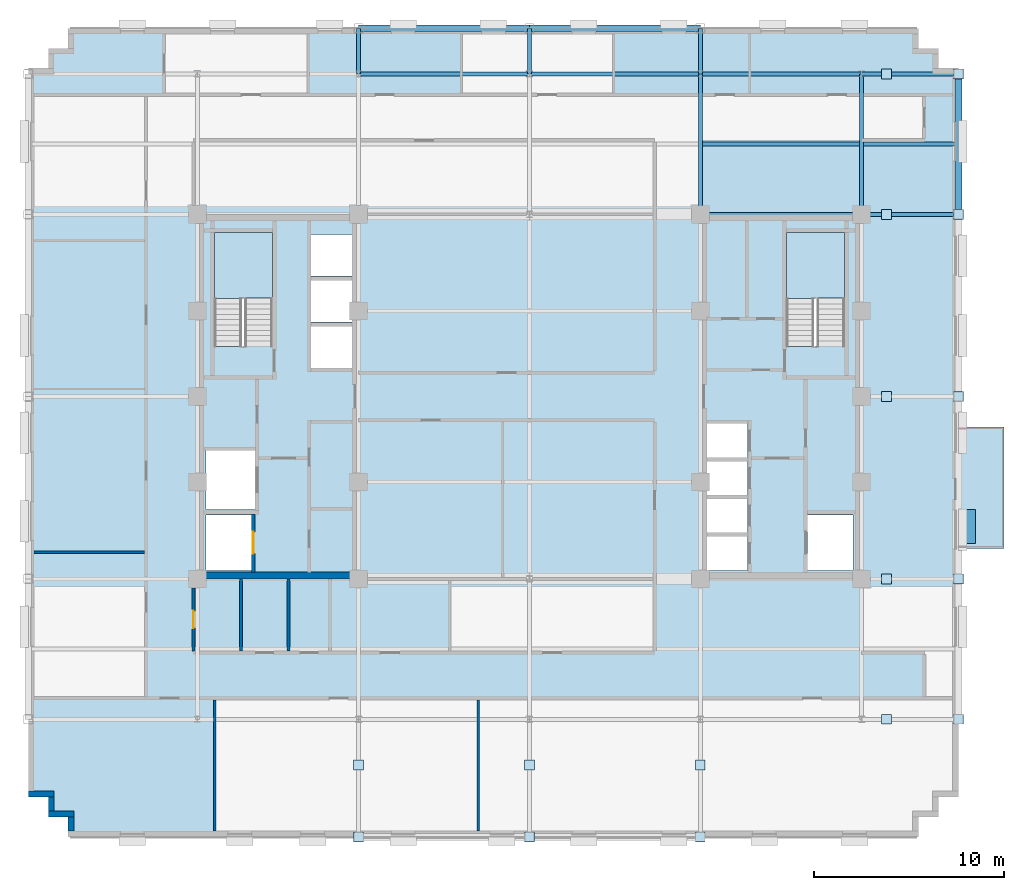
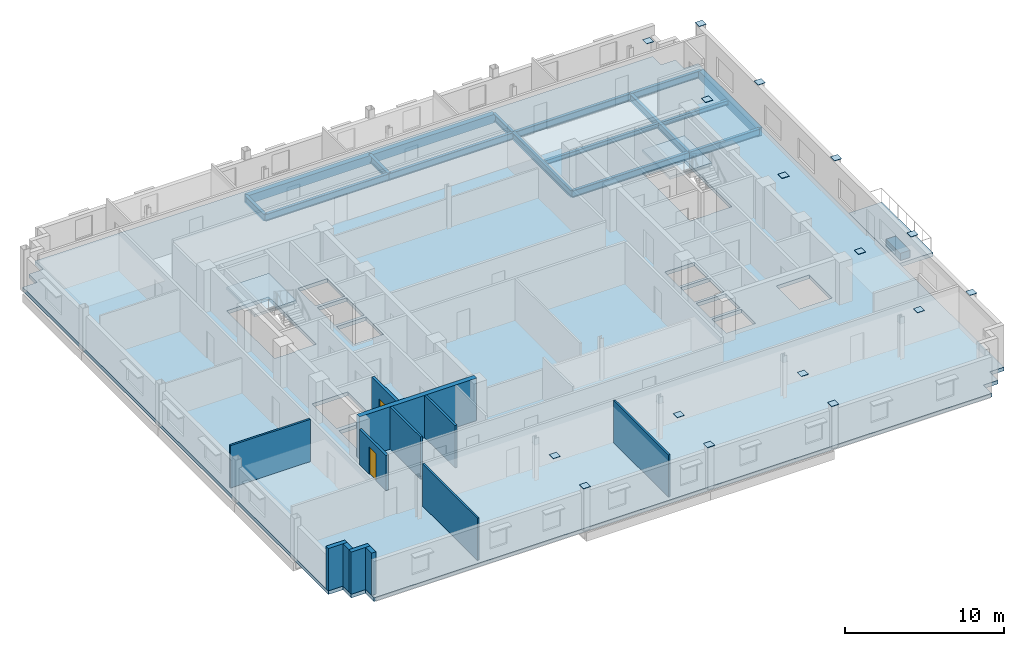
# One storey, part 6 of 15: 17 plates, 16 beams, 12 walls, 4 slabs, 2 doors, 2 openings, 2 elements without a shape of their own.
"""IFC4 building model written with IfcOpenShell, lengths in metres."""

from ifc_helpers import new_model, si_unit, direction, frame, frame_2d, origin, origin_2d, place, context, subcontext, project, spatial, polyline, rectangle, i_section, outline, extrude, source, transform, mapped, material, layer, layer_set, material_profile, profile_set, type_object, type_shapes, element, fill, aggregate, save


model = new_model("IFC4")

# Units and contexts
model_context = context("Model", 3, precision=1e-05, world=origin(), true_north=direction((0.0, 1.0)))
body_context = subcontext(model_context, "Body", "Model", "MODEL_VIEW")
ifc_project = project(units=[si_unit("LENGTHUNIT", "METRE"), si_unit("AREAUNIT", "SQUARE_METRE"), si_unit("VOLUMEUNIT", "CUBIC_METRE"), si_unit("PLANEANGLEUNIT", "RADIAN"), si_unit("MASSUNIT", "GRAM", prefix="KILO")], contexts=[model_context])

# Site, building, storey
site_placement = place(None, origin())
site = spatial("IfcSite", under=ifc_project, at=site_placement, CompositionType="ELEMENT")
building_placement = place(site_placement, origin())
building = spatial("IfcBuilding", under=site, at=building_placement, Name="Nuvemarco Arch Tower", CompositionType="ELEMENT")
storey_placement = place(building_placement, frame((0.0, 0.0, 205.5)))
storey = spatial("IfcBuildingStorey", under=building, at=storey_placement, Name="L54", CompositionType="ELEMENT", Elevation=205.5)

# Beams
ifc_material_1 = material(Name="Steel S355", Category="steel")
ifc_material_profile_1 = material_profile(ifc_material_1, i_section(OverallWidth=0.2109375, OverallDepth=0.5390625, WebThickness=0.01171875, FlangeThickness=0.018798828125, FilletRadius=0.01611328125, at=origin_2d()), Name="W530x109")
ifc_profile_set_1 = profile_set([ifc_material_profile_1], Name="Steel S355")
beam_type_1 = type_object("IfcBeamType", Name="BM-GIRD-530", PredefinedType="BEAM", material=ifc_profile_set_1)
for number, where, z_axis, x_axis, name in (
    (1, (-9.0, 17.0, -0.549560546875), (0.0, 1.0, 0.0), (-1.0, 0.0, 0.0), "L54 structural beam BGNS_L54_0_-9.0_+17.0"),
    (2, (0.0, 17.0, -0.549560546875), (0.0, 1.0, 0.0), (-1.0, 0.0, 0.0), "L54 structural beam BGNS_L54_0_+0.0_+17.0"),
):
    element("IfcBeam", number, at=place(storey_placement, frame(where, z_axis=z_axis, x_axis=x_axis)), inside=storey, type_object=beam_type_1, Name=name, PredefinedType="BEAM", context=body_context, shape_type="SweptSolid", body=[
        extrude(i_section(OverallWidth=0.2109375, OverallDepth=0.5390625, WebThickness=0.01171875, FlangeThickness=0.018798828125, FilletRadius=0.01611328125, at=origin_2d()), origin(), (0.0, 0.0, 1.0), 2.39990234375),
    ])
beam_1_placement = place(storey_placement, frame((9.0, 9.60009765625, -0.549560546875), z_axis=(0.0, 1.0, 0.0), x_axis=(-1.0, 0.0, 0.0)))
element("IfcBeam", 3, at=beam_1_placement, inside=storey, type_object=beam_type_1, Name="L54 structural beam BGNS_L54_0_+9.0_+9.6", PredefinedType="BEAM", context=body_context, shape_type="SweptSolid", body=[
    extrude(i_section(OverallWidth=0.2109375, OverallDepth=0.5390625, WebThickness=0.01171875, FlangeThickness=0.018798828125, FilletRadius=0.01611328125, at=origin_2d()), origin(), (0.0, 0.0, 1.0), 7.39990234375),
])
beam_2_placement = place(storey_placement, frame((9.0, 17.0, -0.549560546875), z_axis=(0.0, 1.0, 0.0), x_axis=(-1.0, 0.0, 0.0)))
element("IfcBeam", 4, at=beam_2_placement, inside=storey, type_object=beam_type_1, Name="L54 structural beam BGNS_L54_0_+9.0_+17.0", PredefinedType="BEAM", context=body_context, shape_type="SweptSolid", body=[
    extrude(i_section(OverallWidth=0.2109375, OverallDepth=0.5390625, WebThickness=0.01171875, FlangeThickness=0.018798828125, FilletRadius=0.01611328125, at=origin_2d()), origin(), (0.0, 0.0, 1.0), 2.39990234375),
])
beam_3_placement = place(storey_placement, frame((17.5, 9.60009765625, -0.549560546875), z_axis=(0.0, 1.0, 0.0), x_axis=(-1.0, 0.0, 0.0)))
element("IfcBeam", 5, at=beam_3_placement, inside=storey, type_object=beam_type_1, Name="L54 structural beam BGNS_L54_0_+17.5_+9.6", PredefinedType="BEAM", context=body_context, shape_type="SweptSolid", body=[
    extrude(i_section(OverallWidth=0.2109375, OverallDepth=0.5390625, WebThickness=0.01171875, FlangeThickness=0.018798828125, FilletRadius=0.01611328125, at=origin_2d()), origin(), (0.0, 0.0, 1.0), 7.39990234375),
])
beam_4_placement = place(storey_placement, frame((9.0, 9.60009765625, -0.549560546875), z_axis=(1.0, 0.0, 0.0), x_axis=(0.0, 1.0, 0.0)))
element("IfcBeam", 6, at=beam_4_placement, inside=storey, type_object=beam_type_1, Name="L54 structural beam BGEW_L54_0_+9.6_+9.0", PredefinedType="BEAM", context=body_context, shape_type="SweptSolid", body=[
    extrude(i_section(OverallWidth=0.2109375, OverallDepth=0.5390625, WebThickness=0.01171875, FlangeThickness=0.018798828125, FilletRadius=0.01611328125, at=origin_2d()), origin(), (0.0, 0.0, 1.0), 8.5),
])
beam_5_placement = place(storey_placement, frame((17.5, 9.60009765625, -0.549560546875), z_axis=(1.0, 0.0, 0.0), x_axis=(0.0, 1.0, 0.0)))
element("IfcBeam", 7, at=beam_5_placement, inside=storey, type_object=beam_type_1, Name="L54 structural beam BGEW_L54_0_+9.6_+17.5", PredefinedType="BEAM", context=body_context, shape_type="SweptSolid", body=[
    extrude(i_section(OverallWidth=0.2109375, OverallDepth=0.5390625, WebThickness=0.01171875, FlangeThickness=0.018798828125, FilletRadius=0.01611328125, at=origin_2d()), origin(), (0.0, 0.0, 1.0), 5.10009765625),
])
for number, where, z_axis, x_axis, name in (
    (8, (-9.0, 17.0, -0.549560546875), (1.0, 0.0, 0.0), (0.0, 1.0, 0.0), "L54 structural beam BGEW_L54_0_+17.0_-9.0"),
    (9, (0.0, 17.0, -0.549560546875), (1.0, 0.0, 0.0), (0.0, 1.0, 0.0), "L54 structural beam BGEW_L54_0_+17.0_+0.0"),
):
    element("IfcBeam", number, at=place(storey_placement, frame(where, z_axis=z_axis, x_axis=x_axis)), inside=storey, type_object=beam_type_1, Name=name, PredefinedType="BEAM", context=body_context, shape_type="SweptSolid", body=[
        extrude(i_section(OverallWidth=0.2109375, OverallDepth=0.5390625, WebThickness=0.01171875, FlangeThickness=0.018798828125, FilletRadius=0.01611328125, at=origin_2d()), origin(), (0.0, 0.0, 1.0), 9.0),
    ])
beam_6_placement = place(storey_placement, frame((9.0, 17.0, -0.549560546875), z_axis=(1.0, 0.0, 0.0), x_axis=(0.0, 1.0, 0.0)))
element("IfcBeam", 10, at=beam_6_placement, inside=storey, type_object=beam_type_1, Name="L54 structural beam BGEW_L54_0_+17.0_+9.0", PredefinedType="BEAM", context=body_context, shape_type="SweptSolid", body=[
    extrude(i_section(OverallWidth=0.2109375, OverallDepth=0.5390625, WebThickness=0.01171875, FlangeThickness=0.018798828125, FilletRadius=0.01611328125, at=origin_2d()), origin(), (0.0, 0.0, 1.0), 8.5),
])
beam_7_placement = place(storey_placement, frame((17.5, 17.0, -0.549560546875), z_axis=(1.0, 0.0, 0.0), x_axis=(0.0, 1.0, 0.0)))
element("IfcBeam", 11, at=beam_7_placement, inside=storey, type_object=beam_type_1, Name="L54 structural beam BGEW_L54_0_+17.0_+17.5", PredefinedType="BEAM", context=body_context, shape_type="SweptSolid", body=[
    extrude(i_section(OverallWidth=0.2109375, OverallDepth=0.5390625, WebThickness=0.01171875, FlangeThickness=0.018798828125, FilletRadius=0.01611328125, at=origin_2d()), origin(), (0.0, 0.0, 1.0), 5.10009765625),
])
ifc_material_profile_2 = material_profile(ifc_material_1, i_section(OverallWidth=0.202880859375, OverallDepth=0.346923828125, WebThickness=0.0078125, FlangeThickness=0.013427734375, FilletRadius=0.014892578125, at=origin_2d()), Name="W360x64")
ifc_profile_set_2 = profile_set([ifc_material_profile_2], Name="Steel S355")
beam_type_2 = type_object("IfcBeamType", Name="BM-JOIST-360", PredefinedType="JOIST", material=ifc_profile_set_2)
beam_8_placement = place(storey_placement, frame((9.10546875, 13.300048828125, -0.45361328125), z_axis=(1.0, 0.0, 0.0), x_axis=(0.0, 1.0, 0.0)))
element("IfcBeam", 12, at=beam_8_placement, inside=storey, type_object=beam_type_2, Name="L54 structural beam BJ_L54_0_+13.3_+9.0", PredefinedType="JOIST", context=body_context, shape_type="SweptSolid", body=[
    extrude(i_section(OverallWidth=0.202880859375, OverallDepth=0.346923828125, WebThickness=0.0078125, FlangeThickness=0.013427734375, FilletRadius=0.014892578125, at=origin_2d()), origin(), (0.0, 0.0, 1.0), 8.2890625),
])
beam_9_placement = place(storey_placement, frame((17.60546875, 13.300048828125, -0.45361328125), z_axis=(1.0, 0.0, 0.0), x_axis=(0.0, 1.0, 0.0)))
element("IfcBeam", 13, at=beam_9_placement, inside=storey, type_object=beam_type_2, Name="L54 structural beam BJ_L54_0_+13.3_+17.5", PredefinedType="JOIST", context=body_context, shape_type="SweptSolid", body=[
    extrude(i_section(OverallWidth=0.202880859375, OverallDepth=0.346923828125, WebThickness=0.0078125, FlangeThickness=0.013427734375, FilletRadius=0.014892578125, at=origin_2d()), origin(), (0.0, 0.0, 1.0), 4.819580078125),
])
ifc_material_2 = material(Name="Precast concrete C45/55", Category="concrete")
ifc_material_profile_3 = material_profile(ifc_material_2, rectangle(XDim=0.35009765625, YDim=0.64990234375, at=origin_2d()), Name="PC-SP-350x650")
ifc_profile_set_3 = profile_set([ifc_material_profile_3], Name="Precast concrete C45/55")
beam_type_3 = type_object("IfcBeamType", Name="BM-SPAN-RC", PredefinedType="SPANDREL", material=ifc_profile_set_3)
beam_10_placement = place(storey_placement, frame((22.60009765625, 9.60009765625, -0.60498046875), z_axis=(0.0, 1.0, 0.0), x_axis=(-1.0, 0.0, 0.0)))
element("IfcBeam", 14, at=beam_10_placement, inside=storey, type_object=beam_type_3, Name="L54 structural beam BGNS_L54_0_+22.6_+9.6", PredefinedType="SPANDREL", context=body_context, shape_type="SweptSolid", body=[
    extrude(rectangle(XDim=0.35009765625, YDim=0.64990234375, at=origin_2d()), origin(), (0.0, 0.0, 1.0), 7.39990234375),
])
for number, where, z_axis, x_axis, name in (
    (15, (-9.0, 19.39990234375, -0.60498046875), (1.0, 0.0, 0.0), (0.0, 1.0, 0.0), "L54 structural beam BGEW_L54_0_+19.4_-9.0"),
    (16, (0.0, 19.39990234375, -0.60498046875), (1.0, 0.0, 0.0), (0.0, 1.0, 0.0), "L54 structural beam BGEW_L54_0_+19.4_+0.0"),
):
    element("IfcBeam", number, at=place(storey_placement, frame(where, z_axis=z_axis, x_axis=x_axis)), inside=storey, type_object=beam_type_3, Name=name, PredefinedType="SPANDREL", context=body_context, shape_type="SweptSolid", body=[
        extrude(rectangle(XDim=0.35009765625, YDim=0.64990234375, at=origin_2d()), origin(), (0.0, 0.0, 1.0), 9.0),
    ])

# Slab
ifc_material_3 = material(Name="Concrete C50/60", Category="concrete")
ifc_layer_1 = layer(ifc_material_3, 0.280029296875, Name="SL-FLR-280")
ifc_layer_set_1 = layer_set([ifc_layer_1], Name="Concrete C50/60")
slab_type_1 = type_object("IfcSlabType", Name="SL-FLR-280", PredefinedType="FLOOR", material=ifc_layer_set_1)
slab_1_placement = place(storey_placement, frame((0.0, 0.0, -0.280029296875)))
element("IfcSlab", 17, at=slab_1_placement, inside=storey, type_object=slab_type_1, Name="L54 structural floor slab", PredefinedType="FLOOR", context=body_context, shape_type="SweptSolid", body=[
    extrude(outline(polyline([(-24.300048828125, -23.199951171875), (20.5, -23.199951171875), (20.5, -22.14990234375), (21.550048828125, -22.14990234375), (21.550048828125, -21.10009765625), (22.60009765625, -21.10009765625), (22.60009765625, 17.300048828125), (21.550048828125, 17.300048828125), (21.550048828125, 18.35009765625), (20.5, 18.35009765625), (20.5, 19.39990234375), (-24.300048828125, 19.39990234375), (-24.300048828125, 18.35009765625), (-25.35009765625, 18.35009765625), (-25.35009765625, 17.300048828125), (-26.39990234375, 17.300048828125), (-26.39990234375, -21.10009765625), (-25.35009765625, -21.10009765625), (-25.35009765625, -22.14990234375), (-24.300048828125, -22.14990234375), (-24.300048828125, -23.199951171875)]), holes=[polyline([(-13.5400390625, 2.669921875), (-13.5400390625, 8.64990234375), (-16.60009765625, 8.64990234375), (-16.60009765625, 2.630615234375), (-15.070068359375, 2.630615234375), (-15.070068359375, 2.669921875), (-13.5400390625, 2.669921875)]), polyline([(16.60009765625, 2.669921875), (16.60009765625, 8.64990234375), (13.5400390625, 8.64990234375), (13.5400390625, 2.630615234375), (15.070068359375, 2.630615234375), (15.070068359375, 2.669921875), (16.60009765625, 2.669921875)]), polyline([(-17.050048828125, -9.14990234375), (-14.64990234375, -9.14990234375), (-14.64990234375, -6.25), (-17.050048828125, -6.25), (-17.050048828125, -9.14990234375)]), polyline([(-17.050048828125, -5.949951171875), (-14.449951171875, -5.949951171875), (-14.449951171875, -2.85009765625), (-17.050048828125, -2.85009765625), (-17.050048828125, -5.949951171875)]), polyline([(-11.5, 1.5), (-9.35009765625, 1.5), (-9.35009765625, 3.699951171875), (-11.5, 3.699951171875), (-11.5, 1.5)]), polyline([(-11.5, 3.919921875), (-9.35009765625, 3.919921875), (-9.35009765625, 6.1201171875), (-11.5, 6.1201171875), (-11.5, 3.919921875)]), polyline([(-11.5, 6.340087890625), (-9.35009765625, 6.340087890625), (-9.35009765625, 8.5400390625), (-11.5, 8.5400390625), (-11.5, 6.340087890625)]), polyline([(14.64990234375, -9.14990234375), (17.050048828125, -9.14990234375), (17.050048828125, -6.25), (14.64990234375, -6.25), (14.64990234375, -9.14990234375)]), polyline([(9.35009765625, -9.14990234375), (11.5, -9.14990234375), (11.5, -7.3701171875), (9.35009765625, -7.3701171875), (9.35009765625, -9.14990234375)]), polyline([(9.35009765625, -7.169921875), (11.5, -7.169921875), (11.5, -5.389892578125), (9.35009765625, -5.389892578125), (9.35009765625, -7.169921875)]), polyline([(9.35009765625, -5.18994140625), (11.5, -5.18994140625), (11.5, -3.409912109375), (9.35009765625, -3.409912109375), (9.35009765625, -5.18994140625)]), polyline([(9.35009765625, -3.2099609375), (11.5, -3.2099609375), (11.5, -1.429931640625), (9.35009765625, -1.429931640625), (9.35009765625, -3.2099609375)])]), origin(), (0.0, 0.0, 1.0), 0.280029296875),
])

# Stair, slab
stair_type = type_object("IfcStairType", Name="ST-CORE-20R", PredefinedType="HALF_TURN_STAIR", material=ifc_material_2)
stair_1_placement = place(storey_placement, origin())
stair_1 = element("IfcStair", 18, at=stair_1_placement, inside=storey, type_object=stair_type, Name="L54 Protected Exit Stair ST-1", PredefinedType="HALF_TURN_STAIR")
ifc_layer_2 = layer(ifc_material_2, 0.199951171875, Name="SL-LANDING-200")
ifc_layer_set_2 = layer_set([ifc_layer_2], Name="Precast concrete C45/55")
slab_type_2 = type_object("IfcSlabType", Name="SL-LANDING-200", PredefinedType="LANDING", material=ifc_layer_set_2)
slab_2_placement = place(storey_placement, frame((0.0, 0.0, 1.625)))
slab_2 = element("IfcSlab", 19, at=slab_2_placement, type_object=slab_type_2, Name="ST-20R landing 1", PredefinedType="LANDING", context=body_context, shape_type="SweptSolid", body=[
    extrude(outline(polyline([(-13.5400390625, 5.189453125), (-13.5400390625, 8.64990234375), (-16.60009765625, 8.64990234375), (-16.60009765625, 5.169921875), (-15.070068359375, 5.169921875), (-15.070068359375, 5.189453125), (-13.5400390625, 5.189453125)])), origin(), (0.0, 0.0, 1.0), 0.199951171875),
])
aggregate(stair_1, [slab_2])

stair_2_placement = place(storey_placement, origin())
stair_2 = element("IfcStair", 20, at=stair_2_placement, inside=storey, type_object=stair_type, Name="L54 Protected Exit Stair ST-2", PredefinedType="HALF_TURN_STAIR")
slab_3_placement = place(storey_placement, frame((0.0, 0.0, 1.625)))
slab_3 = element("IfcSlab", 21, at=slab_3_placement, type_object=slab_type_2, Name="ST-20R landing 1", PredefinedType="LANDING", context=body_context, shape_type="SweptSolid", body=[
    extrude(outline(polyline([(16.60009765625, 5.189453125), (16.60009765625, 8.64990234375), (13.5400390625, 8.64990234375), (13.5400390625, 5.169921875), (15.070068359375, 5.169921875), (15.070068359375, 5.189453125), (16.60009765625, 5.189453125)])), origin(), (0.0, 0.0, 1.0), 0.199951171875),
])
aggregate(stair_2, [slab_3])

# Slab
ifc_layer_3 = layer(ifc_material_3, 0.294921875, Name="SL-TR4")
ifc_layer_set_3 = layer_set([ifc_layer_3], Name="Concrete C50/60")
slab_type_3 = type_object("IfcSlabType", Name="SL-TR4", PredefinedType="FLOOR", material=ifc_layer_set_3)
slab_4_placement = place(storey_placement, frame((0.0, 0.0, -0.294921875)))
element("IfcSlab", 22, at=slab_4_placement, inside=storey, type_object=slab_type_3, Name="L54 outdoor spiral terrace slab 1", PredefinedType="FLOOR", context=body_context, shape_type="SweptSolid", body=[
    extrude(outline(polyline([(22.60009765625, -8.0), (25.0, -8.0), (25.0, -1.60009765625), (22.60009765625, -1.60009765625), (22.60009765625, -8.0)])), origin(), (0.0, 0.0, 1.0), 0.294921875),
])

# Plates
ifc_layer_4 = layer(ifc_material_1, 0.030029296875, Name="PL-CAP-500-EXT")
ifc_layer_set_4 = layer_set([ifc_layer_4], Name="Steel S355")
plate_type_1 = type_object("IfcPlateType", Name="PL-CAP-500-EXT", PredefinedType="SHEET", material=ifc_layer_set_4)
shared_shape_1 = source(origin(), body_context, "Body", "SweptSolid", [
    extrude(rectangle(XDim=0.52001953125, YDim=0.52001953125, at=origin_2d()), origin(), (0.0, 0.0, 1.0), 0.030029296875),
])
type_shapes(plate_type_1, [shared_shape_1])
for number, where, z_axis, x_axis, name in (
    (23, (22.60009765625, -17.0, 3.23486328125), (0.0, 0.0, 1.0), (1.0, 0.0, 0.0), "Hollow steel end-cap plate COL-L54-CX_+22.6_-17.0_TOP"),
    (24, (22.60009765625, -9.60009765625, 3.23486328125), (0.0, 0.0, 1.0), (1.0, 0.0, 0.0), "Hollow steel end-cap plate COL-L54-CX_+22.6_-9.6_TOP"),
    (25, (22.60009765625, 0.0, 3.23486328125), (0.0, 0.0, 1.0), (1.0, 0.0, 0.0), "Hollow steel end-cap plate COL-L54-CX_+22.6_+0.0_TOP"),
    (26, (22.60009765625, 9.60009765625, 3.23486328125), (0.0, 0.0, 1.0), (1.0, 0.0, 0.0), "Hollow steel end-cap plate COL-L54-CX_+22.6_+9.6_TOP"),
    (27, (22.60009765625, 17.0, 3.23486328125), (0.0, 0.0, 1.0), (1.0, 0.0, 0.0), "Hollow steel end-cap plate COL-L54-CX_+22.6_+17.0_TOP"),
    (28, (-9.0, -23.199951171875, 3.23486328125), (0.0, 0.0, 1.0), (1.0, 0.0, 0.0), "Hollow steel end-cap plate COL-L54-CY_-9.0_-23.2_TOP"),
    (29, (0.0, -23.199951171875, 3.23486328125), (0.0, 0.0, 1.0), (1.0, 0.0, 0.0), "Hollow steel end-cap plate COL-L54-CY_+0.0_-23.2_TOP"),
    (30, (9.0, -23.199951171875, 3.23486328125), (0.0, 0.0, 1.0), (1.0, 0.0, 0.0), "Hollow steel end-cap plate COL-L54-CY_+9.0_-23.2_TOP"),
    (31, (18.800048828125, -17.0, 3.23486328125), (0.0, 0.0, 1.0), (1.0, 0.0, 0.0), "Hollow steel end-cap plate COL-L55-CX_+18.8_-17.0_BOT"),
    (32, (18.800048828125, -9.60009765625, 3.23486328125), (0.0, 0.0, 1.0), (1.0, 0.0, 0.0), "Hollow steel end-cap plate COL-L55-CX_+18.8_-9.6_BOT"),
    (33, (18.800048828125, 0.0, 3.23486328125), (0.0, 0.0, 1.0), (1.0, 0.0, 0.0), "Hollow steel end-cap plate COL-L55-CX_+18.8_+0.0_BOT"),
    (34, (18.800048828125, 9.60009765625, 3.23486328125), (0.0, 0.0, 1.0), (1.0, 0.0, 0.0), "Hollow steel end-cap plate COL-L55-CX_+18.8_+9.6_BOT"),
    (35, (18.800048828125, 17.0, 3.23486328125), (0.0, 0.0, 1.0), (1.0, 0.0, 0.0), "Hollow steel end-cap plate COL-L55-CX_+18.8_+17.0_BOT"),
    (36, (-9.0, -19.39990234375, 3.23486328125), (0.0, 0.0, 1.0), (1.0, 0.0, 0.0), "Hollow steel end-cap plate COL-L55-CY_-9.0_-19.4_BOT"),
    (37, (0.0, -19.39990234375, 3.23486328125), (0.0, 0.0, 1.0), (1.0, 0.0, 0.0), "Hollow steel end-cap plate COL-L55-CY_+0.0_-19.4_BOT"),
    (38, (9.0, -19.39990234375, 3.23486328125), (0.0, 0.0, 1.0), (1.0, 0.0, 0.0), "Hollow steel end-cap plate COL-L55-CY_+9.0_-19.4_BOT"),
):
    element("IfcPlate", number, at=place(storey_placement, frame(where, z_axis=z_axis, x_axis=x_axis)), inside=storey, type_object=plate_type_1, Name=name, PredefinedType="SHEET", context=body_context, shape_type="MappedRepresentation", body=[
        mapped(shared_shape_1, transform((0.0, 0.0, 0.0), scale=1.0)),
    ])
ifc_layer_5 = layer(ifc_material_2, 0.550048828125, Name="Tree Balcony Structural Planter")
ifc_layer_set_5 = layer_set([ifc_layer_5], Name="Precast concrete C45/55")
plate_type_2 = type_object("IfcPlateType", Name="Tree Balcony Structural Planter", PredefinedType="USERDEFINED", material=ifc_layer_set_5)
shared_shape_2 = source(origin(), body_context, "Body", "SweptSolid", [
    extrude(rectangle(XDim=1.800048828125, YDim=0.699951171875, at=origin_2d()), origin(), (0.0, 0.0, 1.0), 0.550048828125),
])
type_shapes(plate_type_2, [shared_shape_2])
plate_placement = place(storey_placement, frame((23.14990234375, -6.85009765625, 0.0), z_axis=(0.0, 0.0, 1.0), x_axis=(0.0, 1.0, 0.0)))
element("IfcPlate", 39, at=plate_placement, inside=storey, type_object=plate_type_2, Name="L54 Tree Balcony Structural Planter", ObjectType="PLANTER", PredefinedType="USERDEFINED", context=body_context, shape_type="MappedRepresentation", body=[
    mapped(shared_shape_2, transform((0.0, 0.0, 0.0), scale=1.0)),
])

# Walls
ifc_layer_6 = layer(ifc_material_2, 0.31005859375, Name="EW-UPP-310")
ifc_layer_set_6 = layer_set([ifc_layer_6], Name="Precast concrete C45/55")
wall_type_1 = type_object("IfcWallType", Name="EW-UPP-310", PredefinedType="STANDARD", material=ifc_layer_set_6)
wall_1_placement = place(storey_placement, frame((-26.39990234375, -20.945068359375, 0.0), z_axis=(0.0, 0.0, 1.0), x_axis=(1.0, 0.0, 0.0)))
element("IfcWall", 40, at=wall_1_placement, inside=storey, type_object=wall_type_1, Name="L54 exterior precast facade wall 17", PredefinedType="STANDARD", context=body_context, shape_type="SweptSolid", body=[
    extrude(rectangle(XDim=1.35986328125, YDim=0.31005859375, at=frame_2d((0.679931640625, 0.0))), origin(), (0.0, 0.0, 1.0), 3.239990234375),
])
wall_2_placement = place(storey_placement, frame((-25.195068359375, -21.843994140625, 0.0), z_axis=(0.0, 0.0, 1.0), x_axis=(0.0, 1.0, 0.0)))
element("IfcWall", 41, at=wall_2_placement, inside=storey, type_object=wall_type_1, Name="L54 exterior precast facade wall 18", PredefinedType="STANDARD", context=body_context, shape_type="SweptSolid", body=[
    extrude(rectangle(XDim=0.748046875, YDim=0.31005859375, at=frame_2d((0.3740234375, 0.0))), origin(), (0.0, 0.0, 1.0), 3.239990234375),
])
wall_3_placement = place(storey_placement, frame((-25.35009765625, -21.9951171875, 0.0), z_axis=(0.0, 0.0, 1.0), x_axis=(1.0, 0.0, 0.0)))
element("IfcWall", 42, at=wall_3_placement, inside=storey, type_object=wall_type_1, Name="L54 exterior precast facade wall 19", PredefinedType="STANDARD", context=body_context, shape_type="SweptSolid", body=[
    extrude(rectangle(XDim=1.360107421875, YDim=0.31005859375, at=frame_2d((0.68017578125, 0.0))), origin(), (0.0, 0.0, 1.0), 3.239990234375),
])
wall_4_placement = place(storey_placement, frame((-24.14501953125, -22.89404296875, 0.0), z_axis=(0.0, 0.0, 1.0), x_axis=(0.0, 1.0, 0.0)))
element("IfcWall", 43, at=wall_4_placement, inside=storey, type_object=wall_type_1, Name="L54 exterior precast facade wall 20", PredefinedType="STANDARD", context=body_context, shape_type="SweptSolid", body=[
    extrude(rectangle(XDim=0.748046875, YDim=0.31005859375, at=frame_2d((0.3740234375, 0.0))), origin(), (0.0, 0.0, 1.0), 3.239990234375),
])
ifc_layer_7 = layer(ifc_material_3, 0.35009765625, Name="WL-CORE-350")
ifc_layer_set_7 = layer_set([ifc_layer_7], Name="Concrete C50/60")
wall_type_2 = type_object("IfcWallType", Name="WL-CORE-350", PredefinedType="SHEAR", material=ifc_layer_set_7)
wall_5_placement = place(storey_placement, frame((-17.5, -9.425048828125, 0.0), z_axis=(0.0, 0.0, 1.0), x_axis=(1.0, 0.0, 0.0)))
element("IfcWall", 44, at=wall_5_placement, inside=storey, type_object=wall_type_2, Name="L54 W-core shear wall S", PredefinedType="SHEAR", context=body_context, shape_type="SweptSolid", body=[
    extrude(rectangle(XDim=8.5, YDim=0.35009765625, at=frame_2d((4.25, 0.0))), origin(), (0.0, 0.0, 1.0), 3.25),
])

# Wall, opening, door
ifc_material_4 = material(Name="Fire-rated gypsum drywall partition")
ifc_layer_8 = layer(ifc_material_4, 0.179931640625, Name="WL-CORR-180")
ifc_layer_set_8 = layer_set([ifc_layer_8], Name="Fire-rated gypsum drywall partition")
wall_type_3 = type_object("IfcWallType", Name="WL-CORR-180", PredefinedType="PARTITIONING", material=ifc_layer_set_8)
wall_6_placement = place(storey_placement, frame((-17.699951171875, -13.4140625, 0.0), z_axis=(0.0, 0.0, 1.0), x_axis=(0.0, 1.0, 0.0)))
wall_6 = element("IfcWall", 45, at=wall_6_placement, inside=storey, type_object=wall_type_3, Name="L54 interior wall IW-L54-018", PredefinedType="PARTITIONING", context=body_context, shape_type="SweptSolid", body=[
    extrude(rectangle(XDim=3.343017578125, YDim=0.179931640625, at=frame_2d((1.67138671875, 0.0))), origin(), (0.0, 0.0, 1.0), 2.696044921875),
])
opening_1_placement = place(wall_6_placement, frame((1.221435546875, 0.0, 0.0)))
opening_1 = element("IfcOpeningElement", 46, at=opening_1_placement, cuts=wall_6, Name="Opening ID-3", PredefinedType="OPENING", context=body_context, shape_type="SweptSolid", body=[
    extrude(rectangle(XDim=0.89990234375, YDim=2.10009765625, at=frame_2d((0.449951171875, 1.050048828125))), frame((0.0, 0.099853515625, 0.0), z_axis=(0.0, -1.0, 0.0), x_axis=(1.0, 0.0, 0.0)), (0.0, 0.0, 1.0), 0.199951171875),
])
ifc_material_5 = material(Name="Veneered oak timber fire door", Category="wood")
door_type_1 = type_object("IfcDoorType", Name="DR-WC-ACC", OperationType="NOTDEFINED", PredefinedType="DOOR", material=ifc_material_5)
shared_shape_3 = source(origin(), body_context, "Body", "SweptSolid", [
    extrude(rectangle(XDim=0.89990234375, YDim=2.10009765625, at=frame_2d((0.449951171875, 1.050048828125))), frame((0.0, 0.02490234375, 0.0), z_axis=(0.0, -1.0, 0.0), x_axis=(1.0, 0.0, 0.0)), (0.0, 0.0, 1.0), 0.050048828125),
])
type_shapes(door_type_1, [shared_shape_3])
door_1_placement = place(opening_1_placement, origin())
door_1 = element("IfcDoor", 47, at=door_1_placement, inside=storey, type_object=door_type_1, Name="L54 door DR-L54-WC_M", OperationType="SINGLE_SWING_RIGHT", OverallHeight=2.10009765625, OverallWidth=0.89990234375, PredefinedType="DOOR", context=body_context, shape_type="MappedRepresentation", body=[
    mapped(shared_shape_3, transform((0.0, 0.0, 0.0), scale=1.0)),
])
fill(opening_1, door_1)

# Walls
ifc_material_6 = material(Name="Glazed acoustic office partition")
ifc_layer_9 = layer(ifc_material_6, 0.1298828125, Name="WL-EXEC-130")
ifc_layer_set_9 = layer_set([ifc_layer_9], Name="Glazed acoustic office partition")
wall_type_4 = type_object("IfcWallType", Name="WL-EXEC-130", PredefinedType="PARTITIONING", material=ifc_layer_set_9)
for number, where, z_axis, x_axis, name in (
    (48, (-16.570068359375, -22.889892578125, 0.0), (0.0, 0.0, 1.0), (0.0, 1.0, 0.0), "L54 interior wall IW-L54-020"),
    (49, (-2.7099609375, -22.889892578125, 0.0), (0.0, 0.0, 1.0), (0.0, 1.0, 0.0), "L54 interior wall IW-L54-027"),
):
    element("IfcWall", number, at=place(storey_placement, frame(where, z_axis=z_axis, x_axis=x_axis)), inside=storey, type_object=wall_type_4, Name=name, PredefinedType="PARTITIONING", context=body_context, shape_type="SweptSolid", body=[
        extrude(rectangle(XDim=6.90380859375, YDim=0.1298828125, at=frame_2d((3.451904296875, 0.0))), origin(), (0.0, 0.0, 1.0), 3.239990234375),
    ])
ifc_material_7 = material(Name="Gypsum plasterboard partition")
ifc_layer_10 = layer(ifc_material_7, 0.139892578125, Name="WL-ROOM-140")
ifc_layer_set_10 = layer_set([ifc_layer_10], Name="Gypsum plasterboard partition")
wall_type_5 = type_object("IfcWallType", Name="WL-ROOM-140", PredefinedType="PARTITIONING", material=ifc_layer_set_10)
wall_7_placement = place(storey_placement, frame((-26.090087890625, -8.199951171875, 0.0), z_axis=(0.0, 0.0, 1.0), x_axis=(1.0, 0.0, 0.0)))
element("IfcWall", 50, at=wall_7_placement, inside=storey, type_object=wall_type_5, Name="L54 interior wall IW-L54-006", PredefinedType="PARTITIONING", context=body_context, shape_type="SweptSolid", body=[
    extrude(rectangle(XDim=5.80419921875, YDim=0.139892578125, at=frame_2d((2.902099609375, 0.0))), origin(), (0.0, 0.0, 1.0), 3.239990234375),
])

# Wall, opening, door
ifc_layer_11 = layer(ifc_material_3, 0.199951171875, Name="WL-SHAFT-220")
ifc_layer_set_11 = layer_set([ifc_layer_11], Name="Concrete C50/60")
wall_type_6 = type_object("IfcWallType", Name="WL-SHAFT-220", PredefinedType="SHEAR", material=ifc_layer_set_11)
wall_8_placement = place(storey_placement, frame((-14.550048828125, -9.2548828125, 0.0), z_axis=(0.0, 0.0, 1.0), x_axis=(0.0, 1.0, 0.0)))
wall_8 = element("IfcWall", 51, at=wall_8_placement, inside=storey, type_object=wall_type_6, Name="L54 structural shaft wall SW-L54-W-SHE", PredefinedType="SHEAR", context=body_context, shape_type="SweptSolid", body=[
    extrude(rectangle(XDim=3.059814453125, YDim=0.199951171875, at=frame_2d((1.52978515625, 0.0))), origin(), (0.0, 0.0, 1.0), 3.25),
])
opening_2_placement = place(wall_8_placement, frame((0.97998046875, 0.0, 0.0)))
opening_2 = element("IfcOpeningElement", 52, at=opening_2_placement, cuts=wall_8, Name="Opening LD-2", PredefinedType="OPENING", context=body_context, shape_type="SweptSolid", body=[
    extrude(rectangle(XDim=1.14990234375, YDim=2.14990234375, at=frame_2d((0.574951171875, 1.074951171875))), frame((0.0, 0.10986328125, 0.0), z_axis=(0.0, -1.0, 0.0), x_axis=(1.0, 0.0, 0.0)), (0.0, 0.0, 1.0), 0.219970703125),
])
ifc_material_8 = material(Name="Stainless steel lift door", Category="steel")
door_type_2 = type_object("IfcDoorType", Name="DR-LIFT-FIRE", OperationType="DOUBLE_DOOR_SLIDING", PredefinedType="DOOR", material=ifc_material_8)
shared_shape_4 = source(origin(), body_context, "Body", "SweptSolid", [
    extrude(rectangle(XDim=1.14990234375, YDim=2.14990234375, at=frame_2d((0.574951171875, 1.074951171875))), frame((0.0, 0.02490234375, 0.0), z_axis=(0.0, -1.0, 0.0), x_axis=(1.0, 0.0, 0.0)), (0.0, 0.0, 1.0), 0.050048828125),
])
type_shapes(door_type_2, [shared_shape_4])
door_2_placement = place(opening_2_placement, origin())
door_2 = element("IfcDoor", 53, at=door_2_placement, inside=storey, type_object=door_type_2, Name="L54 Lift landing sliding door FFL-1", OperationType="DOUBLE_DOOR_SLIDING", OverallHeight=2.14990234375, OverallWidth=1.14990234375, PredefinedType="DOOR", context=body_context, shape_type="MappedRepresentation", body=[
    mapped(shared_shape_4, transform((0.0, 0.0, 0.0), scale=1.0)),
])
fill(opening_2, door_2)

# Walls
ifc_material_9 = material(Name="Moisture-resistant gypsum partition")
ifc_layer_12 = layer(ifc_material_9, 0.14990234375, Name="WL-WET-150")
ifc_layer_set_12 = layer_set([ifc_layer_12], Name="Moisture-resistant gypsum partition")
wall_type_7 = type_object("IfcWallType", Name="WL-WET-150", PredefinedType="PARTITIONING", material=ifc_layer_set_12)
for number, where, z_axis, x_axis, name in (
    (54, (-15.199951171875, -13.4140625, 0.0), (0.0, 0.0, 1.0), (0.0, 1.0, 0.0), "L54 interior wall IW-L54-021"),
    (55, (-12.699951171875, -13.4140625, 0.0), (0.0, 0.0, 1.0), (0.0, 1.0, 0.0), "L54 interior wall IW-L54-022"),
):
    element("IfcWall", number, at=place(storey_placement, frame(where, z_axis=z_axis, x_axis=x_axis)), inside=storey, type_object=wall_type_7, Name=name, PredefinedType="PARTITIONING", context=body_context, shape_type="SweptSolid", body=[
        extrude(rectangle(XDim=3.81396484375, YDim=0.14990234375, at=frame_2d((1.906982421875, 0.0))), origin(), (0.0, 0.0, 1.0), 3.239990234375),
    ])

save(model, "model.ifc")
